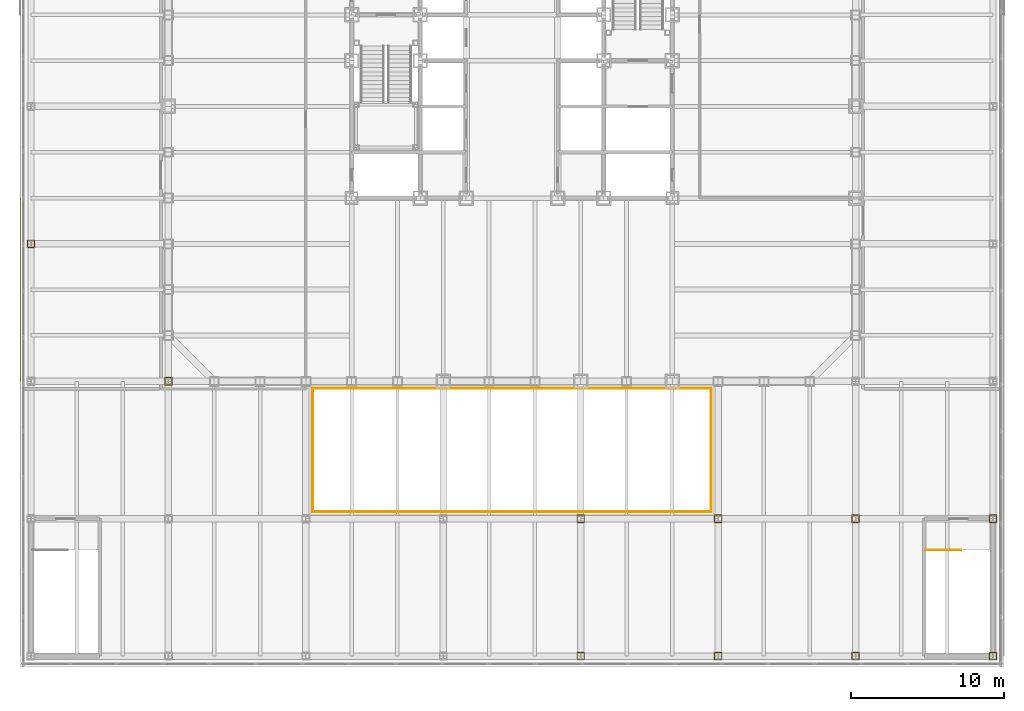
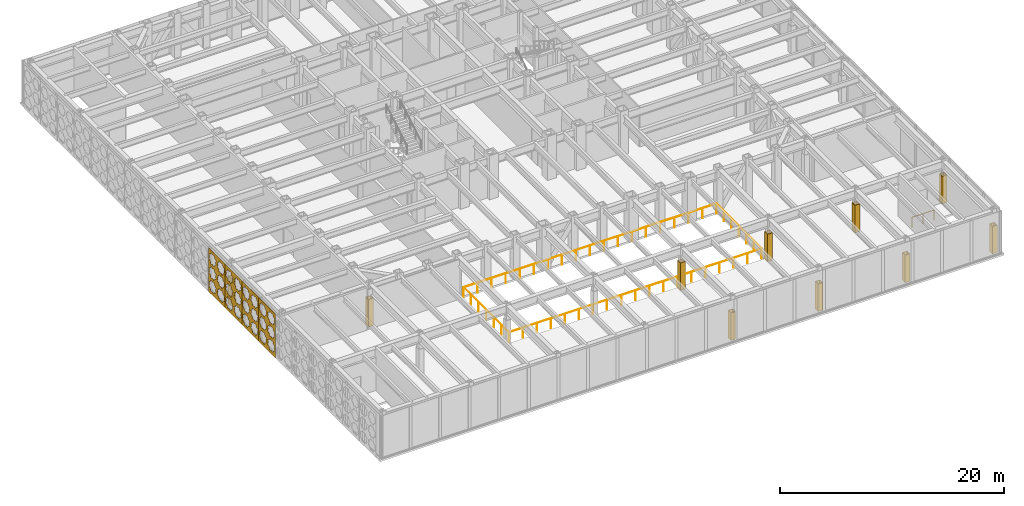
# One storey, part 19 of 24: 10 coverings, 4 shading devices, 3 railings.
"""IFC4 building model written with IfcOpenShell, lengths in metres."""

from ifc_helpers import new_model, si_unit, direction, frame, origin, origin_2d, place, context, subcontext, project, spatial, polyline, circle, outline, extrude, material, layer, layer_set, type_object, element, save


model = new_model("IFC4")

# Units and contexts
model_context = context("Model", 3, precision=1e-05, world=origin(), true_north=direction((0.0, 1.0)))
body_context = subcontext(model_context, "Body", "Model", "MODEL_VIEW")
ifc_project = project(units=[si_unit("LENGTHUNIT", "METRE"), si_unit("AREAUNIT", "SQUARE_METRE"), si_unit("VOLUMEUNIT", "CUBIC_METRE"), si_unit("PLANEANGLEUNIT", "RADIAN"), si_unit("MASSUNIT", "GRAM", prefix="KILO")], contexts=[model_context])

# Site, building, storey
site_placement = place(None, origin())
site = spatial("IfcSite", under=ifc_project, at=site_placement, CompositionType="ELEMENT")
building_placement = place(site_placement, origin())
building = spatial("IfcBuilding", under=site, at=building_placement, Name="Chuquiago Exchange Tower", CompositionType="ELEMENT")
storey_placement = place(building_placement, frame((0.0, 0.0, 19.5)))
storey = spatial("IfcBuildingStorey", under=building, at=storey_placement, Name="L03", CompositionType="ELEMENT", Elevation=19.5)

# Coverings
ifc_material_1 = material(Name="Pale metal sheet casing on rails", Category="aluminium")
ifc_layer_1 = layer(ifc_material_1, 0.050048828125)
ifc_layer_set_1 = layer_set([ifc_layer_1], Name="CS1 column casing 50")
covering_type = type_object("IfcCoveringType", Name="CS1 column casing 50", PredefinedType="CLADDING", material=ifc_layer_set_1)
covering_1_placement = place(storey_placement, origin())
element("IfcCovering", 1, at=covering_1_placement, inside=storey, type_object=covering_type, Name="Column casing L03", PredefinedType="CLADDING", context=body_context, shape_type="SweptSolid", body=[
    extrude(outline(polyline([(-9.255615234375, 8.73291015625), (-8.744384765625, 8.73291015625), (-8.744384765625, 9.26708984375), (-9.255615234375, 9.26708984375), (-9.255615234375, 8.73291015625)]), holes=[polyline([(-9.205810546875, 8.78271484375), (-9.205810546875, 9.21728515625), (-8.794189453125, 9.21728515625), (-8.794189453125, 8.78271484375), (-9.205810546875, 8.78271484375)])]), origin(), (0.0, 0.0, 1.0), 3.0),
])
covering_2_placement = place(storey_placement, origin())
element("IfcCovering", 2, at=covering_2_placement, inside=storey, type_object=covering_type, Name="Column casing L03", PredefinedType="CLADDING", context=body_context, shape_type="SweptSolid", body=[
    extrude(outline(polyline([(-0.255615234375, -0.26708984375), (0.255615234375, -0.26708984375), (0.255615234375, 0.26708984375), (-0.255615234375, 0.26708984375), (-0.255615234375, -0.26708984375)]), holes=[polyline([(-0.205810546875, -0.21728515625), (-0.205810546875, 0.21728515625), (0.205810546875, 0.21728515625), (0.205810546875, -0.21728515625), (-0.205810546875, -0.21728515625)])]), origin(), (0.0, 0.0, 1.0), 3.0),
])
covering_3_placement = place(storey_placement, origin())
element("IfcCovering", 3, at=covering_3_placement, inside=storey, type_object=covering_type, Name="Column casing L03", PredefinedType="CLADDING", context=body_context, shape_type="SweptSolid", body=[
    extrude(outline(polyline([(26.744384765625, -18.26708984375), (27.255615234375, -18.26708984375), (27.255615234375, -17.73291015625), (26.744384765625, -17.73291015625), (26.744384765625, -18.26708984375)]), holes=[polyline([(26.794189453125, -18.21728515625), (26.794189453125, -17.78271484375), (27.205810546875, -17.78271484375), (27.205810546875, -18.21728515625), (26.794189453125, -18.21728515625)])]), origin(), (0.0, 0.0, 1.0), 3.0),
])
covering_4_placement = place(storey_placement, origin())
element("IfcCovering", 4, at=covering_4_placement, inside=storey, type_object=covering_type, Name="Column casing L03", PredefinedType="CLADDING", context=body_context, shape_type="SweptSolid", body=[
    extrude(outline(polyline([(26.744384765625, -9.26708984375), (27.255615234375, -9.26708984375), (27.255615234375, -8.73291015625), (26.744384765625, -8.73291015625), (26.744384765625, -9.26708984375)]), holes=[polyline([(26.794189453125, -9.21728515625), (26.794189453125, -8.78271484375), (27.205810546875, -8.78271484375), (27.205810546875, -9.21728515625), (26.794189453125, -9.21728515625)])]), origin(), (0.0, 0.0, 1.0), 3.0),
])
covering_5_placement = place(storey_placement, origin())
element("IfcCovering", 5, at=covering_5_placement, inside=storey, type_object=covering_type, Name="Column casing L03", PredefinedType="CLADDING", context=body_context, shape_type="SweptSolid", body=[
    extrude(outline(polyline([(35.744384765625, -18.26708984375), (36.255615234375, -18.26708984375), (36.255615234375, -17.73291015625), (35.744384765625, -17.73291015625), (35.744384765625, -18.26708984375)]), holes=[polyline([(35.794189453125, -18.21728515625), (35.794189453125, -17.78271484375), (36.205810546875, -17.78271484375), (36.205810546875, -18.21728515625), (35.794189453125, -18.21728515625)])]), origin(), (0.0, 0.0, 1.0), 3.0),
])
covering_6_placement = place(storey_placement, origin())
element("IfcCovering", 6, at=covering_6_placement, inside=storey, type_object=covering_type, Name="Column casing L03", PredefinedType="CLADDING", context=body_context, shape_type="SweptSolid", body=[
    extrude(outline(polyline([(35.744384765625, -9.26708984375), (36.255615234375, -9.26708984375), (36.255615234375, -8.73291015625), (35.744384765625, -8.73291015625), (35.744384765625, -9.26708984375)]), holes=[polyline([(35.794189453125, -9.21728515625), (35.794189453125, -8.78271484375), (36.205810546875, -8.78271484375), (36.205810546875, -9.21728515625), (35.794189453125, -9.21728515625)])]), origin(), (0.0, 0.0, 1.0), 3.0),
])
covering_7_placement = place(storey_placement, origin())
element("IfcCovering", 7, at=covering_7_placement, inside=storey, type_object=covering_type, Name="Column casing L03", PredefinedType="CLADDING", context=body_context, shape_type="SweptSolid", body=[
    extrude(outline(polyline([(44.744384765625, -18.26708984375), (45.255615234375, -18.26708984375), (45.255615234375, -17.73291015625), (44.744384765625, -17.73291015625), (44.744384765625, -18.26708984375)]), holes=[polyline([(44.794189453125, -18.21728515625), (44.794189453125, -17.78271484375), (45.205810546875, -17.78271484375), (45.205810546875, -18.21728515625), (44.794189453125, -18.21728515625)])]), origin(), (0.0, 0.0, 1.0), 3.0),
])
covering_8_placement = place(storey_placement, origin())
element("IfcCovering", 8, at=covering_8_placement, inside=storey, type_object=covering_type, Name="Column casing L03", PredefinedType="CLADDING", context=body_context, shape_type="SweptSolid", body=[
    extrude(outline(polyline([(44.744384765625, -9.26708984375), (45.255615234375, -9.26708984375), (45.255615234375, -8.73291015625), (44.744384765625, -8.73291015625), (44.744384765625, -9.26708984375)]), holes=[polyline([(44.794189453125, -9.21728515625), (44.794189453125, -8.78271484375), (45.205810546875, -8.78271484375), (45.205810546875, -9.21728515625), (44.794189453125, -9.21728515625)])]), origin(), (0.0, 0.0, 1.0), 3.0),
])
covering_9_placement = place(storey_placement, origin())
element("IfcCovering", 9, at=covering_9_placement, inside=storey, type_object=covering_type, Name="Column casing L03", PredefinedType="CLADDING", context=body_context, shape_type="SweptSolid", body=[
    extrude(outline(polyline([(53.744384765625, -18.26708984375), (54.255615234375, -18.26708984375), (54.255615234375, -17.73291015625), (53.744384765625, -17.73291015625), (53.744384765625, -18.26708984375)]), holes=[polyline([(53.794189453125, -18.21728515625), (53.794189453125, -17.78271484375), (54.205810546875, -17.78271484375), (54.205810546875, -18.21728515625), (53.794189453125, -18.21728515625)])]), origin(), (0.0, 0.0, 1.0), 3.0),
])
covering_10_placement = place(storey_placement, origin())
element("IfcCovering", 10, at=covering_10_placement, inside=storey, type_object=covering_type, Name="Column casing L03", PredefinedType="CLADDING", context=body_context, shape_type="SweptSolid", body=[
    extrude(outline(polyline([(53.744384765625, -9.26708984375), (54.255615234375, -9.26708984375), (54.255615234375, -8.73291015625), (53.744384765625, -8.73291015625), (53.744384765625, -9.26708984375)]), holes=[polyline([(53.794189453125, -9.21728515625), (53.794189453125, -8.78271484375), (54.205810546875, -8.78271484375), (54.205810546875, -9.21728515625), (53.794189453125, -9.21728515625)])]), origin(), (0.0, 0.0, 1.0), 3.0),
])

# Railings
ifc_material_2 = material(Name="Pale metal guard with safety glass infill", Category="glass")
railing_type = type_object("IfcRailingType", Name="GR1 guard 1100", PredefinedType="GUARDRAIL", material=ifc_material_2)
railing_1_placement = place(storey_placement, frame((9.449951171875, -0.449951171875, 0.0)))
element("IfcRailing", 11, at=railing_1_placement, inside=storey, type_object=railing_type, Name="Atrium guard L03 west and south", PredefinedType="GUARDRAIL", context=body_context, shape_type="SweptSolid", body=[
    extrude(circle(Radius=0.02392578125, at=origin_2d()), frame((0.0, 0.0, 1.076171875), z_axis=(0.0, -1.0, 0.0), x_axis=(1.0, 0.0, 0.0)), (0.0, 0.0, 1.0), 8.10009765625),
    extrude(circle(Radius=0.02392578125, at=origin_2d()), frame((0.0, -8.10009765625, 1.076171875), z_axis=(1.0, 0.0, 0.0), x_axis=(0.0, 1.0, 0.0)), (0.0, 0.0, 1.0), 26.10009765625),
    extrude(circle(Radius=0.02099609375, at=origin_2d()), origin(), (0.0, 0.0, 1.0), 1.052001953125),
    extrude(circle(Radius=0.02099609375, at=origin_2d()), frame((0.0, -1.35009765625, 0.0)), (0.0, 0.0, 1.0), 1.052001953125),
    extrude(circle(Radius=0.02099609375, at=origin_2d()), frame((0.0, -2.699951171875, 0.0)), (0.0, 0.0, 1.0), 1.052001953125),
    extrude(circle(Radius=0.02099609375, at=origin_2d()), frame((0.0, -4.050048828125, 0.0)), (0.0, 0.0, 1.0), 1.052001953125),
    extrude(circle(Radius=0.02099609375, at=origin_2d()), frame((0.0, -5.400146484375, 0.0)), (0.0, 0.0, 1.0), 1.052001953125),
    extrude(circle(Radius=0.02099609375, at=origin_2d()), frame((0.0, -6.75, 0.0)), (0.0, 0.0, 1.0), 1.052001953125),
    extrude(circle(Radius=0.02099609375, at=origin_2d()), frame((0.0, -8.10009765625, 0.0)), (0.0, 0.0, 1.0), 1.052001953125),
    extrude(circle(Radius=0.02099609375, at=origin_2d()), frame((1.449951171875, -8.10009765625, 0.0)), (0.0, 0.0, 1.0), 1.052001953125),
    extrude(circle(Radius=0.02099609375, at=origin_2d()), frame((2.89990234375, -8.10009765625, 0.0)), (0.0, 0.0, 1.0), 1.052001953125),
    extrude(circle(Radius=0.02099609375, at=origin_2d()), frame((4.35009765625, -8.10009765625, 0.0)), (0.0, 0.0, 1.0), 1.052001953125),
    extrude(circle(Radius=0.02099609375, at=origin_2d()), frame((5.800048828125, -8.10009765625, 0.0)), (0.0, 0.0, 1.0), 1.052001953125),
    extrude(circle(Radius=0.02099609375, at=origin_2d()), frame((7.25, -8.10009765625, 0.0)), (0.0, 0.0, 1.0), 1.052001953125),
    extrude(circle(Radius=0.02099609375, at=origin_2d()), frame((8.699951171875, -8.10009765625, 0.0)), (0.0, 0.0, 1.0), 1.052001953125),
    extrude(circle(Radius=0.02099609375, at=origin_2d()), frame((10.150146484375, -8.10009765625, 0.0)), (0.0, 0.0, 1.0), 1.052001953125),
    extrude(circle(Radius=0.02099609375, at=origin_2d()), frame((11.60009765625, -8.10009765625, 0.0)), (0.0, 0.0, 1.0), 1.052001953125),
    extrude(circle(Radius=0.02099609375, at=origin_2d()), frame((13.050048828125, -8.10009765625, 0.0)), (0.0, 0.0, 1.0), 1.052001953125),
    extrude(circle(Radius=0.02099609375, at=origin_2d()), frame((14.5, -8.10009765625, 0.0)), (0.0, 0.0, 1.0), 1.052001953125),
    extrude(circle(Radius=0.02099609375, at=origin_2d()), frame((15.949951171875, -8.10009765625, 0.0)), (0.0, 0.0, 1.0), 1.052001953125),
    extrude(circle(Radius=0.02099609375, at=origin_2d()), frame((17.400146484375, -8.10009765625, 0.0)), (0.0, 0.0, 1.0), 1.052001953125),
    extrude(circle(Radius=0.02099609375, at=origin_2d()), frame((18.85009765625, -8.10009765625, 0.0)), (0.0, 0.0, 1.0), 1.052001953125),
    extrude(circle(Radius=0.02099609375, at=origin_2d()), frame((20.300048828125, -8.10009765625, 0.0)), (0.0, 0.0, 1.0), 1.052001953125),
    extrude(circle(Radius=0.02099609375, at=origin_2d()), frame((21.75, -8.10009765625, 0.0)), (0.0, 0.0, 1.0), 1.052001953125),
    extrude(circle(Radius=0.02099609375, at=origin_2d()), frame((23.2001953125, -8.10009765625, 0.0)), (0.0, 0.0, 1.0), 1.052001953125),
    extrude(circle(Radius=0.02099609375, at=origin_2d()), frame((24.650146484375, -8.10009765625, 0.0)), (0.0, 0.0, 1.0), 1.052001953125),
    extrude(circle(Radius=0.02099609375, at=origin_2d()), frame((26.10009765625, -8.10009765625, 0.0)), (0.0, 0.0, 1.0), 1.052001953125),
])
railing_2_placement = place(storey_placement, frame((35.550048828125, -8.550048828125, 0.0)))
element("IfcRailing", 12, at=railing_2_placement, inside=storey, type_object=railing_type, Name="Atrium guard L03 east and north", PredefinedType="GUARDRAIL", context=body_context, shape_type="SweptSolid", body=[
    extrude(circle(Radius=0.02392578125, at=origin_2d()), frame((0.0, 0.0, 1.076171875), z_axis=(0.0, 1.0, 0.0), x_axis=(-1.0, 0.0, 0.0)), (0.0, 0.0, 1.0), 8.10009765625),
    extrude(circle(Radius=0.02392578125, at=origin_2d()), frame((0.0, 8.10009765625, 1.076171875), z_axis=(-1.0, 0.0, 0.0), x_axis=(0.0, -1.0, 0.0)), (0.0, 0.0, 1.0), 26.10009765625),
    extrude(circle(Radius=0.02099609375, at=origin_2d()), origin(), (0.0, 0.0, 1.0), 1.052001953125),
    extrude(circle(Radius=0.02099609375, at=origin_2d()), frame((0.0, 1.35009765625, 0.0)), (0.0, 0.0, 1.0), 1.052001953125),
    extrude(circle(Radius=0.02099609375, at=origin_2d()), frame((0.0, 2.699951171875, 0.0)), (0.0, 0.0, 1.0), 1.052001953125),
    extrude(circle(Radius=0.02099609375, at=origin_2d()), frame((0.0, 4.050048828125, 0.0)), (0.0, 0.0, 1.0), 1.052001953125),
    extrude(circle(Radius=0.02099609375, at=origin_2d()), frame((0.0, 5.400146484375, 0.0)), (0.0, 0.0, 1.0), 1.052001953125),
    extrude(circle(Radius=0.02099609375, at=origin_2d()), frame((0.0, 6.75, 0.0)), (0.0, 0.0, 1.0), 1.052001953125),
    extrude(circle(Radius=0.02099609375, at=origin_2d()), frame((0.0, 8.10009765625, 0.0)), (0.0, 0.0, 1.0), 1.052001953125),
    extrude(circle(Radius=0.02099609375, at=origin_2d()), frame((-1.449951171875, 8.10009765625, 0.0)), (0.0, 0.0, 1.0), 1.052001953125),
    extrude(circle(Radius=0.02099609375, at=origin_2d()), frame((-2.89990234375, 8.10009765625, 0.0)), (0.0, 0.0, 1.0), 1.052001953125),
    extrude(circle(Radius=0.02099609375, at=origin_2d()), frame((-4.35009765625, 8.10009765625, 0.0)), (0.0, 0.0, 1.0), 1.052001953125),
    extrude(circle(Radius=0.02099609375, at=origin_2d()), frame((-5.800048828125, 8.10009765625, 0.0)), (0.0, 0.0, 1.0), 1.052001953125),
    extrude(circle(Radius=0.02099609375, at=origin_2d()), frame((-7.25, 8.10009765625, 0.0)), (0.0, 0.0, 1.0), 1.052001953125),
    extrude(circle(Radius=0.02099609375, at=origin_2d()), frame((-8.699951171875, 8.10009765625, 0.0)), (0.0, 0.0, 1.0), 1.052001953125),
    extrude(circle(Radius=0.02099609375, at=origin_2d()), frame((-10.150146484375, 8.10009765625, 0.0)), (0.0, 0.0, 1.0), 1.052001953125),
    extrude(circle(Radius=0.02099609375, at=origin_2d()), frame((-11.60009765625, 8.10009765625, 0.0)), (0.0, 0.0, 1.0), 1.052001953125),
    extrude(circle(Radius=0.02099609375, at=origin_2d()), frame((-13.050048828125, 8.10009765625, 0.0)), (0.0, 0.0, 1.0), 1.052001953125),
    extrude(circle(Radius=0.02099609375, at=origin_2d()), frame((-14.5, 8.10009765625, 0.0)), (0.0, 0.0, 1.0), 1.052001953125),
    extrude(circle(Radius=0.02099609375, at=origin_2d()), frame((-15.949951171875, 8.10009765625, 0.0)), (0.0, 0.0, 1.0), 1.052001953125),
    extrude(circle(Radius=0.02099609375, at=origin_2d()), frame((-17.400146484375, 8.10009765625, 0.0)), (0.0, 0.0, 1.0), 1.052001953125),
    extrude(circle(Radius=0.02099609375, at=origin_2d()), frame((-18.85009765625, 8.10009765625, 0.0)), (0.0, 0.0, 1.0), 1.052001953125),
    extrude(circle(Radius=0.02099609375, at=origin_2d()), frame((-20.300048828125, 8.10009765625, 0.0)), (0.0, 0.0, 1.0), 1.052001953125),
    extrude(circle(Radius=0.02099609375, at=origin_2d()), frame((-21.75, 8.10009765625, 0.0)), (0.0, 0.0, 1.0), 1.052001953125),
    extrude(circle(Radius=0.02099609375, at=origin_2d()), frame((-23.2001953125, 8.10009765625, 0.0)), (0.0, 0.0, 1.0), 1.052001953125),
    extrude(circle(Radius=0.02099609375, at=origin_2d()), frame((-24.650146484375, 8.10009765625, 0.0)), (0.0, 0.0, 1.0), 1.052001953125),
    extrude(circle(Radius=0.02099609375, at=origin_2d()), frame((-26.10009765625, 8.10009765625, 0.0)), (0.0, 0.0, 1.0), 1.052001953125),
])
railing_3_placement = place(storey_placement, frame((49.60009765625, -11.050048828125, 0.0)))
element("IfcRailing", 13, at=railing_3_placement, inside=storey, type_object=railing_type, Name="Guard PS2 top landing L03", PredefinedType="GUARDRAIL", context=body_context, shape_type="SweptSolid", body=[
    extrude(circle(Radius=0.02392578125, at=origin_2d()), frame((0.0, 0.0, 1.076171875), z_axis=(1.0, 0.0, 0.0), x_axis=(0.0, 1.0, 0.0)), (0.0, 0.0, 1.0), 2.2998046875),
    extrude(circle(Radius=0.02099609375, at=origin_2d()), origin(), (0.0, 0.0, 1.0), 1.052001953125),
    extrude(circle(Radius=0.02099609375, at=origin_2d()), frame((1.14990234375, 0.0, 0.0)), (0.0, 0.0, 1.0), 1.052001953125),
    extrude(circle(Radius=0.02099609375, at=origin_2d()), frame((2.2998046875, 0.0, 0.0)), (0.0, 0.0, 1.0), 1.052001953125),
])

# Shading devices
ifc_material_3 = material(Name="Pale metal, perforated in an eight-point star pattern", Category="aluminium")
ifc_layer_2 = layer(ifc_material_3, 0.02001953125)
ifc_layer_set_2 = layer_set([ifc_layer_2], Name="SC1 mashrabiya screen 20")
shading_device_type = type_object("IfcShadingDeviceType", Name="SC1 mashrabiya screen 20", PredefinedType="SHUTTER", material=ifc_layer_set_2)
shading_device_1_placement = place(storey_placement, frame((-9.699951171875, 2.989990234375, -0.199951171875), z_axis=(0.0, 0.0, 1.0), x_axis=(0.0, -1.0, 0.0)))
element("IfcShadingDevice", 14, at=shading_device_1_placement, inside=storey, type_object=shading_device_type, Name="Mashrabiya screen L03 W 7", PredefinedType="SHUTTER", context=body_context, shape_type="SweptSolid", body=[
    extrude(outline(polyline([(0.0, 0.0), (2.97998046875, 0.0), (2.97998046875, 4.800048828125), (0.0, 4.800048828125), (0.0, 0.0)]), holes=[polyline([(1.26953125, 0.909912109375), (1.378173828125, 1.17236328125), (1.115966796875, 1.281005859375), (1.00732421875, 1.543212890625), (0.7451171875, 1.4345703125), (0.482666015625, 1.543212890625), (0.3740234375, 1.281005859375), (0.11181640625, 1.17236328125), (0.220458984375, 0.909912109375), (0.11181640625, 0.647705078125), (0.3740234375, 0.5390625), (0.482666015625, 0.27685546875), (0.7451171875, 0.38525390625), (1.00732421875, 0.27685546875), (1.115966796875, 0.5390625), (1.378173828125, 0.647705078125), (1.26953125, 0.909912109375)]), polyline([(2.759521484375, 0.909912109375), (2.8681640625, 1.17236328125), (2.60595703125, 1.281005859375), (2.497314453125, 1.543212890625), (2.235107421875, 1.4345703125), (1.97265625, 1.543212890625), (1.864013671875, 1.281005859375), (1.601806640625, 1.17236328125), (1.71044921875, 0.909912109375), (1.601806640625, 0.647705078125), (1.864013671875, 0.5390625), (1.97265625, 0.27685546875), (2.235107421875, 0.38525390625), (2.497314453125, 0.27685546875), (2.60595703125, 0.5390625), (2.8681640625, 0.647705078125), (2.759521484375, 0.909912109375)]), polyline([(1.26953125, 2.39990234375), (1.378173828125, 2.662353515625), (1.115966796875, 2.77099609375), (1.00732421875, 3.033203125), (0.7451171875, 2.924560546875), (0.482666015625, 3.033203125), (0.3740234375, 2.77099609375), (0.11181640625, 2.662353515625), (0.220458984375, 2.39990234375), (0.11181640625, 2.1376953125), (0.3740234375, 2.029052734375), (0.482666015625, 1.766845703125), (0.7451171875, 1.875244140625), (1.00732421875, 1.766845703125), (1.115966796875, 2.029052734375), (1.378173828125, 2.1376953125), (1.26953125, 2.39990234375)]), polyline([(2.759521484375, 2.39990234375), (2.8681640625, 2.662353515625), (2.60595703125, 2.77099609375), (2.497314453125, 3.033203125), (2.235107421875, 2.924560546875), (1.97265625, 3.033203125), (1.864013671875, 2.77099609375), (1.601806640625, 2.662353515625), (1.71044921875, 2.39990234375), (1.601806640625, 2.1376953125), (1.864013671875, 2.029052734375), (1.97265625, 1.766845703125), (2.235107421875, 1.875244140625), (2.497314453125, 1.766845703125), (2.60595703125, 2.029052734375), (2.8681640625, 2.1376953125), (2.759521484375, 2.39990234375)]), polyline([(1.26953125, 3.889892578125), (1.378173828125, 4.15234375), (1.115966796875, 4.260986328125), (1.00732421875, 4.523193359375), (0.7451171875, 4.41455078125), (0.482666015625, 4.523193359375), (0.3740234375, 4.260986328125), (0.11181640625, 4.15234375), (0.220458984375, 3.889892578125), (0.11181640625, 3.627685546875), (0.3740234375, 3.51904296875), (0.482666015625, 3.2568359375), (0.7451171875, 3.365234375), (1.00732421875, 3.2568359375), (1.115966796875, 3.51904296875), (1.378173828125, 3.627685546875), (1.26953125, 3.889892578125)]), polyline([(2.759521484375, 3.889892578125), (2.8681640625, 4.15234375), (2.60595703125, 4.260986328125), (2.497314453125, 4.523193359375), (2.235107421875, 4.41455078125), (1.97265625, 4.523193359375), (1.864013671875, 4.260986328125), (1.601806640625, 4.15234375), (1.71044921875, 3.889892578125), (1.601806640625, 3.627685546875), (1.864013671875, 3.51904296875), (1.97265625, 3.2568359375), (2.235107421875, 3.365234375), (2.497314453125, 3.2568359375), (2.60595703125, 3.51904296875), (2.8681640625, 3.627685546875), (2.759521484375, 3.889892578125)])]), frame((0.0, 0.0, 0.0), z_axis=(0.0, -1.0, 0.0), x_axis=(1.0, 0.0, 0.0)), (0.0, 0.0, 1.0), 0.02001953125),
])
shading_device_2_placement = place(storey_placement, frame((-9.699951171875, 5.989990234375, -0.199951171875), z_axis=(0.0, 0.0, 1.0), x_axis=(0.0, -1.0, 0.0)))
element("IfcShadingDevice", 15, at=shading_device_2_placement, inside=storey, type_object=shading_device_type, Name="Mashrabiya screen L03 W 8", PredefinedType="SHUTTER", context=body_context, shape_type="SweptSolid", body=[
    extrude(outline(polyline([(0.0, 0.0), (2.97998046875, 0.0), (2.97998046875, 4.800048828125), (0.0, 4.800048828125), (0.0, 0.0)]), holes=[polyline([(1.26953125, 0.909912109375), (1.378173828125, 1.17236328125), (1.115966796875, 1.281005859375), (1.00732421875, 1.543212890625), (0.7451171875, 1.4345703125), (0.482666015625, 1.543212890625), (0.3740234375, 1.281005859375), (0.11181640625, 1.17236328125), (0.220458984375, 0.909912109375), (0.11181640625, 0.647705078125), (0.3740234375, 0.5390625), (0.482666015625, 0.27685546875), (0.7451171875, 0.38525390625), (1.00732421875, 0.27685546875), (1.115966796875, 0.5390625), (1.378173828125, 0.647705078125), (1.26953125, 0.909912109375)]), polyline([(2.759521484375, 0.909912109375), (2.8681640625, 1.17236328125), (2.60595703125, 1.281005859375), (2.497314453125, 1.543212890625), (2.235107421875, 1.4345703125), (1.97265625, 1.543212890625), (1.864013671875, 1.281005859375), (1.601806640625, 1.17236328125), (1.71044921875, 0.909912109375), (1.601806640625, 0.647705078125), (1.864013671875, 0.5390625), (1.97265625, 0.27685546875), (2.235107421875, 0.38525390625), (2.497314453125, 0.27685546875), (2.60595703125, 0.5390625), (2.8681640625, 0.647705078125), (2.759521484375, 0.909912109375)]), polyline([(1.26953125, 2.39990234375), (1.378173828125, 2.662353515625), (1.115966796875, 2.77099609375), (1.00732421875, 3.033203125), (0.7451171875, 2.924560546875), (0.482666015625, 3.033203125), (0.3740234375, 2.77099609375), (0.11181640625, 2.662353515625), (0.220458984375, 2.39990234375), (0.11181640625, 2.1376953125), (0.3740234375, 2.029052734375), (0.482666015625, 1.766845703125), (0.7451171875, 1.875244140625), (1.00732421875, 1.766845703125), (1.115966796875, 2.029052734375), (1.378173828125, 2.1376953125), (1.26953125, 2.39990234375)]), polyline([(2.759521484375, 2.39990234375), (2.8681640625, 2.662353515625), (2.60595703125, 2.77099609375), (2.497314453125, 3.033203125), (2.235107421875, 2.924560546875), (1.97265625, 3.033203125), (1.864013671875, 2.77099609375), (1.601806640625, 2.662353515625), (1.71044921875, 2.39990234375), (1.601806640625, 2.1376953125), (1.864013671875, 2.029052734375), (1.97265625, 1.766845703125), (2.235107421875, 1.875244140625), (2.497314453125, 1.766845703125), (2.60595703125, 2.029052734375), (2.8681640625, 2.1376953125), (2.759521484375, 2.39990234375)]), polyline([(1.26953125, 3.889892578125), (1.378173828125, 4.15234375), (1.115966796875, 4.260986328125), (1.00732421875, 4.523193359375), (0.7451171875, 4.41455078125), (0.482666015625, 4.523193359375), (0.3740234375, 4.260986328125), (0.11181640625, 4.15234375), (0.220458984375, 3.889892578125), (0.11181640625, 3.627685546875), (0.3740234375, 3.51904296875), (0.482666015625, 3.2568359375), (0.7451171875, 3.365234375), (1.00732421875, 3.2568359375), (1.115966796875, 3.51904296875), (1.378173828125, 3.627685546875), (1.26953125, 3.889892578125)]), polyline([(2.759521484375, 3.889892578125), (2.8681640625, 4.15234375), (2.60595703125, 4.260986328125), (2.497314453125, 4.523193359375), (2.235107421875, 4.41455078125), (1.97265625, 4.523193359375), (1.864013671875, 4.260986328125), (1.601806640625, 4.15234375), (1.71044921875, 3.889892578125), (1.601806640625, 3.627685546875), (1.864013671875, 3.51904296875), (1.97265625, 3.2568359375), (2.235107421875, 3.365234375), (2.497314453125, 3.2568359375), (2.60595703125, 3.51904296875), (2.8681640625, 3.627685546875), (2.759521484375, 3.889892578125)])]), frame((0.0, 0.0, 0.0), z_axis=(0.0, -1.0, 0.0), x_axis=(1.0, 0.0, 0.0)), (0.0, 0.0, 1.0), 0.02001953125),
])
shading_device_3_placement = place(storey_placement, frame((-9.699951171875, 8.989990234375, -0.199951171875), z_axis=(0.0, 0.0, 1.0), x_axis=(0.0, -1.0, 0.0)))
element("IfcShadingDevice", 16, at=shading_device_3_placement, inside=storey, type_object=shading_device_type, Name="Mashrabiya screen L03 W 9", PredefinedType="SHUTTER", context=body_context, shape_type="SweptSolid", body=[
    extrude(outline(polyline([(0.0, 0.0), (2.97998046875, 0.0), (2.97998046875, 4.800048828125), (0.0, 4.800048828125), (0.0, 0.0)]), holes=[polyline([(1.26953125, 0.909912109375), (1.378173828125, 1.17236328125), (1.115966796875, 1.281005859375), (1.00732421875, 1.543212890625), (0.7451171875, 1.4345703125), (0.482666015625, 1.543212890625), (0.3740234375, 1.281005859375), (0.11181640625, 1.17236328125), (0.220458984375, 0.909912109375), (0.11181640625, 0.647705078125), (0.3740234375, 0.5390625), (0.482666015625, 0.27685546875), (0.7451171875, 0.38525390625), (1.00732421875, 0.27685546875), (1.115966796875, 0.5390625), (1.378173828125, 0.647705078125), (1.26953125, 0.909912109375)]), polyline([(2.759521484375, 0.909912109375), (2.8681640625, 1.17236328125), (2.60595703125, 1.281005859375), (2.497314453125, 1.543212890625), (2.235107421875, 1.4345703125), (1.97265625, 1.543212890625), (1.864013671875, 1.281005859375), (1.601806640625, 1.17236328125), (1.71044921875, 0.909912109375), (1.601806640625, 0.647705078125), (1.864013671875, 0.5390625), (1.97265625, 0.27685546875), (2.235107421875, 0.38525390625), (2.497314453125, 0.27685546875), (2.60595703125, 0.5390625), (2.8681640625, 0.647705078125), (2.759521484375, 0.909912109375)]), polyline([(1.26953125, 2.39990234375), (1.378173828125, 2.662353515625), (1.115966796875, 2.77099609375), (1.00732421875, 3.033203125), (0.7451171875, 2.924560546875), (0.482666015625, 3.033203125), (0.3740234375, 2.77099609375), (0.11181640625, 2.662353515625), (0.220458984375, 2.39990234375), (0.11181640625, 2.1376953125), (0.3740234375, 2.029052734375), (0.482666015625, 1.766845703125), (0.7451171875, 1.875244140625), (1.00732421875, 1.766845703125), (1.115966796875, 2.029052734375), (1.378173828125, 2.1376953125), (1.26953125, 2.39990234375)]), polyline([(2.759521484375, 2.39990234375), (2.8681640625, 2.662353515625), (2.60595703125, 2.77099609375), (2.497314453125, 3.033203125), (2.235107421875, 2.924560546875), (1.97265625, 3.033203125), (1.864013671875, 2.77099609375), (1.601806640625, 2.662353515625), (1.71044921875, 2.39990234375), (1.601806640625, 2.1376953125), (1.864013671875, 2.029052734375), (1.97265625, 1.766845703125), (2.235107421875, 1.875244140625), (2.497314453125, 1.766845703125), (2.60595703125, 2.029052734375), (2.8681640625, 2.1376953125), (2.759521484375, 2.39990234375)]), polyline([(1.26953125, 3.889892578125), (1.378173828125, 4.15234375), (1.115966796875, 4.260986328125), (1.00732421875, 4.523193359375), (0.7451171875, 4.41455078125), (0.482666015625, 4.523193359375), (0.3740234375, 4.260986328125), (0.11181640625, 4.15234375), (0.220458984375, 3.889892578125), (0.11181640625, 3.627685546875), (0.3740234375, 3.51904296875), (0.482666015625, 3.2568359375), (0.7451171875, 3.365234375), (1.00732421875, 3.2568359375), (1.115966796875, 3.51904296875), (1.378173828125, 3.627685546875), (1.26953125, 3.889892578125)]), polyline([(2.759521484375, 3.889892578125), (2.8681640625, 4.15234375), (2.60595703125, 4.260986328125), (2.497314453125, 4.523193359375), (2.235107421875, 4.41455078125), (1.97265625, 4.523193359375), (1.864013671875, 4.260986328125), (1.601806640625, 4.15234375), (1.71044921875, 3.889892578125), (1.601806640625, 3.627685546875), (1.864013671875, 3.51904296875), (1.97265625, 3.2568359375), (2.235107421875, 3.365234375), (2.497314453125, 3.2568359375), (2.60595703125, 3.51904296875), (2.8681640625, 3.627685546875), (2.759521484375, 3.889892578125)])]), frame((0.0, 0.0, 0.0), z_axis=(0.0, -1.0, 0.0), x_axis=(1.0, 0.0, 0.0)), (0.0, 0.0, 1.0), 0.02001953125),
])
shading_device_4_placement = place(storey_placement, frame((-9.699951171875, 11.989990234375, -0.199951171875), z_axis=(0.0, 0.0, 1.0), x_axis=(0.0, -1.0, 0.0)))
element("IfcShadingDevice", 17, at=shading_device_4_placement, inside=storey, type_object=shading_device_type, Name="Mashrabiya screen L03 W 10", PredefinedType="SHUTTER", context=body_context, shape_type="SweptSolid", body=[
    extrude(outline(polyline([(0.0, 0.0), (2.97998046875, 0.0), (2.97998046875, 4.800048828125), (0.0, 4.800048828125), (0.0, 0.0)]), holes=[polyline([(1.26953125, 0.909912109375), (1.378173828125, 1.17236328125), (1.115966796875, 1.281005859375), (1.00732421875, 1.543212890625), (0.7451171875, 1.4345703125), (0.482666015625, 1.543212890625), (0.3740234375, 1.281005859375), (0.11181640625, 1.17236328125), (0.220458984375, 0.909912109375), (0.11181640625, 0.647705078125), (0.3740234375, 0.5390625), (0.482666015625, 0.27685546875), (0.7451171875, 0.38525390625), (1.00732421875, 0.27685546875), (1.115966796875, 0.5390625), (1.378173828125, 0.647705078125), (1.26953125, 0.909912109375)]), polyline([(2.759521484375, 0.909912109375), (2.8681640625, 1.17236328125), (2.60595703125, 1.281005859375), (2.497314453125, 1.543212890625), (2.235107421875, 1.4345703125), (1.97265625, 1.543212890625), (1.864013671875, 1.281005859375), (1.601806640625, 1.17236328125), (1.71044921875, 0.909912109375), (1.601806640625, 0.647705078125), (1.864013671875, 0.5390625), (1.97265625, 0.27685546875), (2.235107421875, 0.38525390625), (2.497314453125, 0.27685546875), (2.60595703125, 0.5390625), (2.8681640625, 0.647705078125), (2.759521484375, 0.909912109375)]), polyline([(1.26953125, 2.39990234375), (1.378173828125, 2.662353515625), (1.115966796875, 2.77099609375), (1.00732421875, 3.033203125), (0.7451171875, 2.924560546875), (0.482666015625, 3.033203125), (0.3740234375, 2.77099609375), (0.11181640625, 2.662353515625), (0.220458984375, 2.39990234375), (0.11181640625, 2.1376953125), (0.3740234375, 2.029052734375), (0.482666015625, 1.766845703125), (0.7451171875, 1.875244140625), (1.00732421875, 1.766845703125), (1.115966796875, 2.029052734375), (1.378173828125, 2.1376953125), (1.26953125, 2.39990234375)]), polyline([(2.759521484375, 2.39990234375), (2.8681640625, 2.662353515625), (2.60595703125, 2.77099609375), (2.497314453125, 3.033203125), (2.235107421875, 2.924560546875), (1.97265625, 3.033203125), (1.864013671875, 2.77099609375), (1.601806640625, 2.662353515625), (1.71044921875, 2.39990234375), (1.601806640625, 2.1376953125), (1.864013671875, 2.029052734375), (1.97265625, 1.766845703125), (2.235107421875, 1.875244140625), (2.497314453125, 1.766845703125), (2.60595703125, 2.029052734375), (2.8681640625, 2.1376953125), (2.759521484375, 2.39990234375)]), polyline([(1.26953125, 3.889892578125), (1.378173828125, 4.15234375), (1.115966796875, 4.260986328125), (1.00732421875, 4.523193359375), (0.7451171875, 4.41455078125), (0.482666015625, 4.523193359375), (0.3740234375, 4.260986328125), (0.11181640625, 4.15234375), (0.220458984375, 3.889892578125), (0.11181640625, 3.627685546875), (0.3740234375, 3.51904296875), (0.482666015625, 3.2568359375), (0.7451171875, 3.365234375), (1.00732421875, 3.2568359375), (1.115966796875, 3.51904296875), (1.378173828125, 3.627685546875), (1.26953125, 3.889892578125)]), polyline([(2.759521484375, 3.889892578125), (2.8681640625, 4.15234375), (2.60595703125, 4.260986328125), (2.497314453125, 4.523193359375), (2.235107421875, 4.41455078125), (1.97265625, 4.523193359375), (1.864013671875, 4.260986328125), (1.601806640625, 4.15234375), (1.71044921875, 3.889892578125), (1.601806640625, 3.627685546875), (1.864013671875, 3.51904296875), (1.97265625, 3.2568359375), (2.235107421875, 3.365234375), (2.497314453125, 3.2568359375), (2.60595703125, 3.51904296875), (2.8681640625, 3.627685546875), (2.759521484375, 3.889892578125)])]), frame((0.0, 0.0, 0.0), z_axis=(0.0, -1.0, 0.0), x_axis=(1.0, 0.0, 0.0)), (0.0, 0.0, 1.0), 0.02001953125),
])

save(model, "model.ifc")
